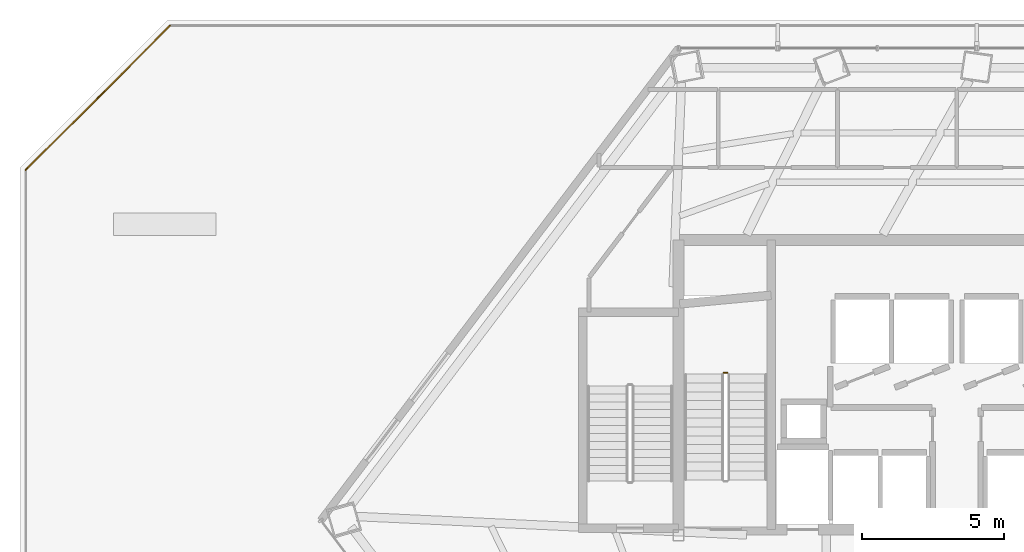
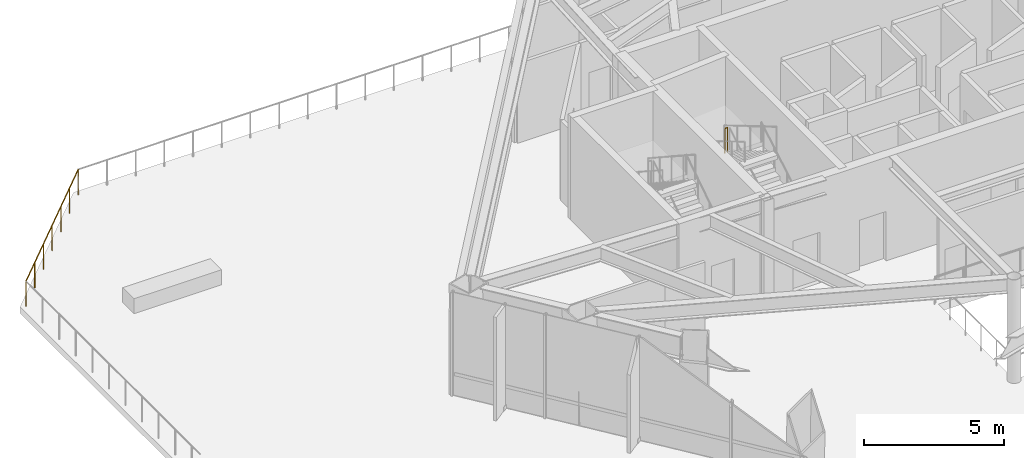
# One storey, part 28 of 30: 2 railings.
"""IFC4 building model written with IfcOpenShell, lengths in metres."""

from ifc_helpers import new_model, si_unit, direction, frame, origin, origin_2d, place, context, subcontext, project, spatial, circle, extrude, material, type_object, element, save


model = new_model("IFC4")

# Units and contexts
model_context = context("Model", 3, precision=1e-05, world=origin(), true_north=direction((0.0, 1.0)))
body_context = subcontext(model_context, "Body", "Model", "MODEL_VIEW")
ifc_project = project(units=[si_unit("LENGTHUNIT", "METRE"), si_unit("AREAUNIT", "SQUARE_METRE"), si_unit("VOLUMEUNIT", "CUBIC_METRE"), si_unit("PLANEANGLEUNIT", "RADIAN"), si_unit("MASSUNIT", "GRAM", prefix="KILO")], contexts=[model_context])

# Site, building, storey
site_placement = place(None, origin())
site = spatial("IfcSite", under=ifc_project, at=site_placement, CompositionType="ELEMENT")
building_placement = place(site_placement, origin())
building = spatial("IfcBuilding", under=site, at=building_placement, Name="Zarrinselat Tower", CompositionType="ELEMENT")
storey_placement = place(building_placement, frame((0.0, 0.0, 22.780029296875)))
storey = spatial("IfcBuildingStorey", under=building, at=storey_placement, Name="L05", CompositionType="ELEMENT", Elevation=22.780029296875)

# Railings
ifc_material_1 = material(Name="Steel S355J2", Category="steel")
railing_type_1 = type_object("IfcRailingType", Name="RLG-STAIR-GUARD", PredefinedType="GUARDRAIL", material=ifc_material_1)
railing_1_placement = place(storey_placement, frame((30.320068359375, 38.77001953125, 2.3798828125)))
element("IfcRailing", 1, at=railing_1_placement, inside=storey, type_object=railing_type_1, Name="L05 ST-1 stair guard 2", PredefinedType="GUARDRAIL", context=body_context, shape_type="SweptSolid", body=[
    extrude(circle(Radius=0.02392578125, at=origin_2d()), frame((0.0, 0.0, 1.076171875), z_axis=(-1.0, 0.0, 0.0), x_axis=(0.0, -1.0, 0.0)), (0.0, 0.0, 1.0), 0.1201171875),
    extrude(circle(Radius=0.02099609375, at=origin_2d()), origin(), (0.0, 0.0, 1.0), 1.050048828125),
    extrude(circle(Radius=0.02099609375, at=origin_2d()), frame((-0.1201171875, 0.0, 0.0)), (0.0, 0.0, 1.0), 1.050048828125),
])
ifc_material_2 = material(Name="Steel S355J2", Category="steel")
railing_type_2 = type_object("IfcRailingType", Name="RLG-TERR-GUARD", PredefinedType="GUARDRAIL", material=ifc_material_2)
railing_2_placement = place(storey_placement, frame((5.60009765625, 45.917236328125, 0.0)))
element("IfcRailing", 2, at=railing_2_placement, inside=storey, type_object=railing_type_2, Name="L05 Chahar-Bagh Raised Garden Guardrail 3-1", PredefinedType="GUARDRAIL", context=body_context, shape_type="SweptSolid", body=[
    extrude(circle(Radius=0.02392578125, at=origin_2d()), frame((0.0, 0.0, 1.09619140625), z_axis=(0.707106781187, 0.707106781187, 0.0), x_axis=(-0.707106781187, 0.707106781187, 0.0)), (0.0, 0.0, 1.0), 7.188232421875),
    extrude(circle(Radius=0.02099609375, at=origin_2d()), origin(), (0.0, 0.0, 1.0), 1.070068359375),
    extrude(circle(Radius=0.02099609375, at=origin_2d()), frame((0.84716796875, 0.84716796875, 0.0)), (0.0, 0.0, 1.0), 1.070068359375),
    extrude(circle(Radius=0.02099609375, at=origin_2d()), frame((1.6943359375, 1.6943359375, 0.0)), (0.0, 0.0, 1.0), 1.070068359375),
    extrude(circle(Radius=0.02099609375, at=origin_2d()), frame((2.54150390625, 2.54150390625, 0.0)), (0.0, 0.0, 1.0), 1.070068359375),
    extrude(circle(Radius=0.02099609375, at=origin_2d()), frame((3.388427734375, 3.388427734375, 0.0)), (0.0, 0.0, 1.0), 1.070068359375),
    extrude(circle(Radius=0.02099609375, at=origin_2d()), frame((4.235595703125, 4.235595703125, 0.0)), (0.0, 0.0, 1.0), 1.070068359375),
    extrude(circle(Radius=0.02099609375, at=origin_2d()), frame((5.082763671875, 5.082763671875, 0.0)), (0.0, 0.0, 1.0), 1.070068359375),
])

save(model, "model.ifc")
